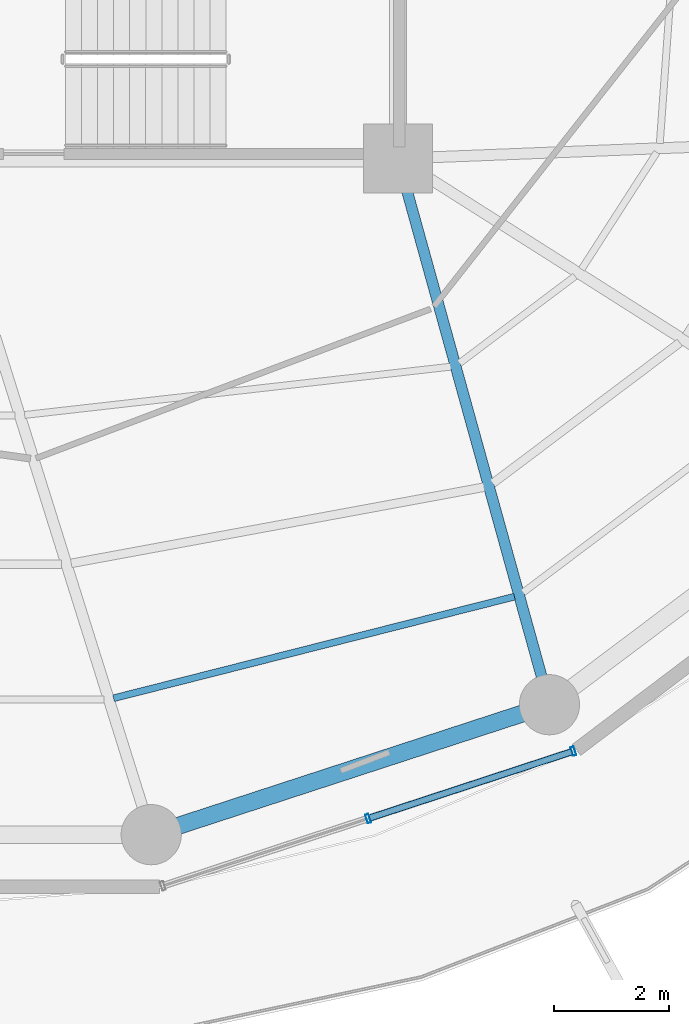
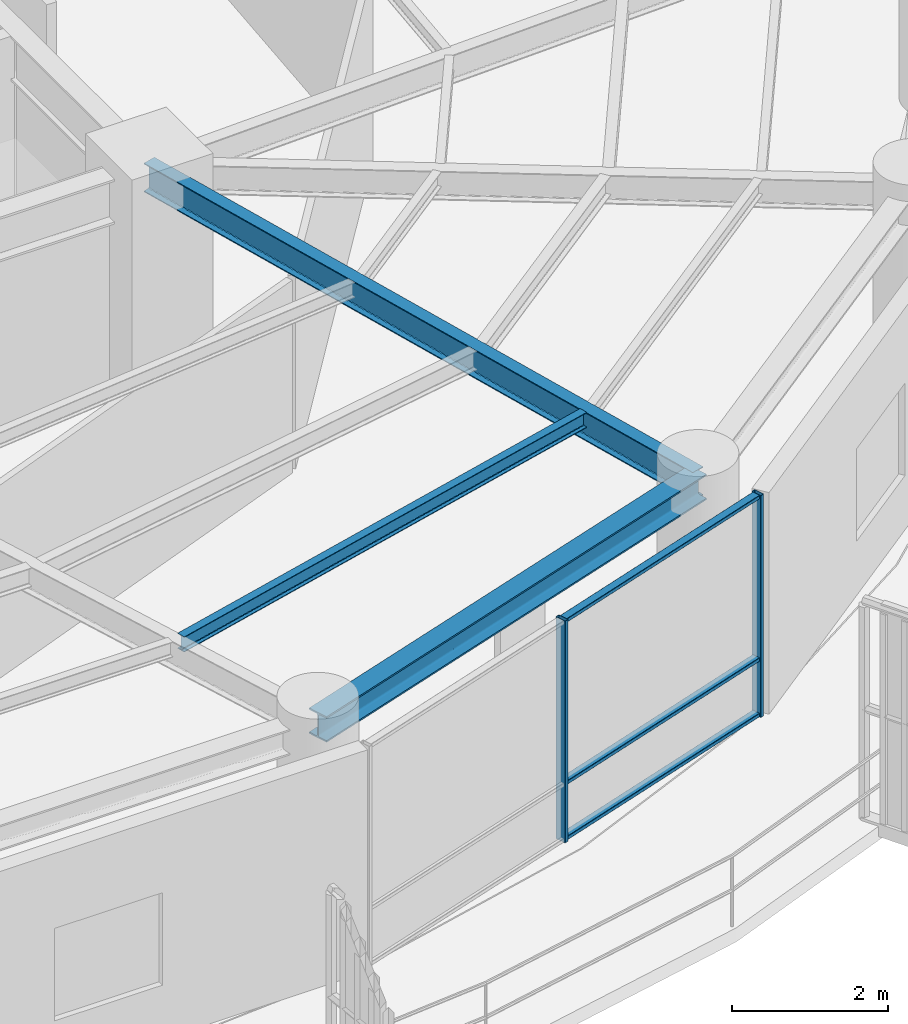
# One storey, part 10 of 30: 5 members, 3 beams, 1 element without a shape of its own.
"""IFC4 building model written with IfcOpenShell, lengths in metres."""

from ifc_helpers import new_model, si_unit, direction, frame, origin, origin_2d, place, context, subcontext, project, spatial, hollow_rectangle, i_section, extrude, material, layer, layer_set, material_profile, profile_set, type_object, element, aggregate, save


model = new_model("IFC4")

# Units and contexts
model_context = context("Model", 3, precision=1e-05, world=origin(), true_north=direction((0.0, 1.0)))
body_context = subcontext(model_context, "Body", "Model", "MODEL_VIEW")
ifc_project = project(units=[si_unit("LENGTHUNIT", "METRE"), si_unit("AREAUNIT", "SQUARE_METRE"), si_unit("VOLUMEUNIT", "CUBIC_METRE"), si_unit("PLANEANGLEUNIT", "RADIAN"), si_unit("MASSUNIT", "GRAM", prefix="KILO")], contexts=[model_context])

# Site, building, storey
site_placement = place(None, origin())
site = spatial("IfcSite", under=ifc_project, at=site_placement, CompositionType="ELEMENT")
building_placement = place(site_placement, origin())
building = spatial("IfcBuilding", under=site, at=building_placement, Name="Kelanora Arch Commons", CompositionType="ELEMENT")
storey_placement = place(building_placement, frame((0.0, 0.0, 204.449951171875)))
storey = spatial("IfcBuildingStorey", under=building, at=storey_placement, Name="L52", CompositionType="ELEMENT", Elevation=204.449951171875)

# Beams
ifc_material_1 = material(Name="Steel S355", Category="steel")
ifc_material_profile_1 = material_profile(ifc_material_1, i_section(OverallWidth=0.1201171875, OverallDepth=0.239990234375, WebThickness=0.006103515625, FlangeThickness=0.009765625, FilletRadius=0.014892578125, at=origin_2d()), Name="IPE240")
ifc_profile_set_1 = profile_set([ifc_material_profile_1], Name="Steel S355")
beam_type_1 = type_object("IfcBeamType", Name="BM-JST-02", PredefinedType="JOIST", material=ifc_profile_set_1)
beam_1_placement = place(storey_placement, frame((77.03857421875, 41.5888671875, 3.3701171875), z_axis=(0.969370989998, 0.245601066263, 0.0), x_axis=(-0.245601066263, 0.969370989998, 0.0)))
element("IfcBeam", 1, at=beam_1_placement, inside=storey, type_object=beam_type_1, Name="Secondary Chord Joist BJC-28 L52", PredefinedType="JOIST", context=body_context, shape_type="SweptSolid", body=[
    extrude(i_section(OverallWidth=0.1201171875, OverallDepth=0.239990234375, WebThickness=0.006103515625, FlangeThickness=0.009765625, FilletRadius=0.014892578125, at=origin_2d()), origin(), (0.0, 0.0, 1.0), 7.2119140625),
])
ifc_material_profile_2 = material_profile(ifc_material_1, i_section(OverallWidth=0.18994140625, OverallDepth=0.449951171875, WebThickness=0.009521484375, FlangeThickness=0.0146484375, FilletRadius=0.02099609375, at=origin_2d()), Name="IPE450")
ifc_profile_set_2 = profile_set([ifc_material_profile_2], Name="Steel S355")
beam_type_2 = type_object("IfcBeamType", Name="BM-RAD-Z4", PredefinedType="BEAM", material=ifc_profile_set_2)
beam_2_placement = place(storey_placement, frame((82.0, 51.0, 3.26513671875), z_axis=(0.267120164296, -0.963663228429, 0.0), x_axis=(0.963663228429, 0.267120164296, 0.0)))
element("IfcBeam", 2, at=beam_2_placement, inside=storey, type_object=beam_type_2, Name="Radial Floor Girder BR-30 L52", PredefinedType="BEAM", context=body_context, shape_type="SweptSolid", body=[
    extrude(i_section(OverallWidth=0.18994140625, OverallDepth=0.449951171875, WebThickness=0.009521484375, FlangeThickness=0.0146484375, FilletRadius=0.02099609375, at=origin_2d()), origin(), (0.0, 0.0, 1.0), 9.8828125),
])
ifc_material_profile_3 = material_profile(ifc_material_1, i_section(OverallWidth=0.300048828125, OverallDepth=0.39990234375, WebThickness=0.013427734375, FlangeThickness=0.02392578125, FilletRadius=0.027099609375, at=origin_2d()), Name="HEB400")
ifc_profile_set_3 = profile_set([ifc_material_profile_3], Name="Steel S355")
beam_type_3 = type_object("IfcBeamType", Name="BM-SPN-Z4", PredefinedType="SPANDREL", material=ifc_profile_set_3)
beam_3_placement = place(storey_placement, frame((77.6953125, 39.2099609375, 3.2900390625), z_axis=(0.950656361143, 0.310245842872, 0.0), x_axis=(-0.310245842872, 0.950656361143, 0.0)))
element("IfcBeam", 3, at=beam_3_placement, inside=storey, type_object=beam_type_3, Name="Perimeter Spandrel Beam BS-28 L52", PredefinedType="SPANDREL", context=body_context, shape_type="SweptSolid", body=[
    extrude(i_section(OverallWidth=0.300048828125, OverallDepth=0.39990234375, WebThickness=0.013427734375, FlangeThickness=0.02392578125, FilletRadius=0.027099609375, at=origin_2d()), origin(), (0.0, 0.0, 1.0), 7.304931640625),
])

# Curtain wall, members
ifc_material_2 = material(Name="Terracotta ceramic-fritted low-E glass and aluminium", Category="masonry")
ifc_layer = layer(ifc_material_2, 0.175048828125)
ifc_layer_set = layer_set([ifc_layer], Name="Terracotta ceramic-fritted low-E glass and aluminium")
curtain_wall_type = type_object("IfcCurtainWallType", Name="CW-SYS-02", PredefinedType="NOTDEFINED", material=ifc_layer_set)
curtain_wall_placement = place(storey_placement, origin())
curtain_wall = element("IfcCurtainWall", 4, at=curtain_wall_placement, inside=storey, type_object=curtain_wall_type, Name="Unitised Curtain Wall L52-B14", PredefinedType="NOTDEFINED")
ifc_material_3 = material(Name="Powder-coated aluminium terracotta", Category="masonry")
ifc_material_profile_4 = material_profile(ifc_material_3, hollow_rectangle(XDim=0.159912109375, YDim=0.06005859375, WallThickness=0.0048828125, InnerFilletRadius=0.0048828125, OuterFilletRadius=0.010009765625, at=origin_2d()), Name="CWM160x60")
ifc_profile_set_4 = profile_set([ifc_material_profile_4], Name="Powder-coated aluminium terracotta")
member_type_1 = type_object("IfcMemberType", Name="CWM-STD", PredefinedType="MULLION", material=ifc_profile_set_4)
member_1_placement = place(storey_placement, frame((81.4775390625, 39.49169921875, 0.0), z_axis=(0.0, 0.0, 1.0), x_axis=(-0.311582439059, 0.950219124029, 0.0)))
member_1 = element("IfcMember", 5, at=member_1_placement, type_object=member_type_1, Name="CW-02 mullion 2", PredefinedType="MULLION", context=body_context, shape_type="SweptSolid", body=[
    extrude(hollow_rectangle(XDim=0.159912109375, YDim=0.06005859375, WallThickness=0.0048828125, InnerFilletRadius=0.0048828125, OuterFilletRadius=0.010009765625, at=origin_2d()), origin(), (0.0, 0.0, 1.0), 3.47509765625),
])
member_2_placement = place(storey_placement, frame((85.05712890625, 40.66552734375, 0.0), z_axis=(0.0, 0.0, 1.0), x_axis=(-0.311582439059, 0.950219124029, 0.0)))
member_2 = element("IfcMember", 6, at=member_2_placement, type_object=member_type_1, Name="CW-02 mullion 3", PredefinedType="MULLION", context=body_context, shape_type="SweptSolid", body=[
    extrude(hollow_rectangle(XDim=0.159912109375, YDim=0.06005859375, WallThickness=0.0048828125, InnerFilletRadius=0.0048828125, OuterFilletRadius=0.010009765625, at=origin_2d()), origin(), (0.0, 0.0, 1.0), 3.47509765625),
])
ifc_material_profile_5 = material_profile(ifc_material_3, hollow_rectangle(XDim=0.1201171875, YDim=0.06005859375, WallThickness=0.0048828125, InnerFilletRadius=0.0048828125, OuterFilletRadius=0.010009765625, at=origin_2d()), Name="CWT120x60")
ifc_profile_set_5 = profile_set([ifc_material_profile_5], Name="Powder-coated aluminium terracotta")
member_type_2 = type_object("IfcMemberType", Name="CWT-STD", PredefinedType="USERDEFINED", material=ifc_profile_set_5)
member_3_placement = place(storey_placement, frame((81.506103515625, 39.5009765625, 0.030029296875), z_axis=(0.950226025222, 0.311561392011, 0.0), x_axis=(-0.311561392011, 0.950226025222, 0.0)))
member_3 = element("IfcMember", 7, at=member_3_placement, type_object=member_type_2, Name="CW-02 transom 2.1", ObjectType="TRANSOM", PredefinedType="USERDEFINED", context=body_context, shape_type="SweptSolid", body=[
    extrude(hollow_rectangle(XDim=0.1201171875, YDim=0.06005859375, WallThickness=0.0048828125, InnerFilletRadius=0.0048828125, OuterFilletRadius=0.010009765625, at=origin_2d()), origin(), (0.0, 0.0, 1.0), 3.707275390625),
])
member_4_placement = place(storey_placement, frame((81.506103515625, 39.5009765625, 0.900146484375), z_axis=(0.950226025222, 0.311561392011, 0.0), x_axis=(-0.311561392011, 0.950226025222, 0.0)))
member_4 = element("IfcMember", 8, at=member_4_placement, type_object=member_type_2, Name="CW-02 transom 2.2", ObjectType="TRANSOM", PredefinedType="USERDEFINED", context=body_context, shape_type="SweptSolid", body=[
    extrude(hollow_rectangle(XDim=0.1201171875, YDim=0.06005859375, WallThickness=0.0048828125, InnerFilletRadius=0.0048828125, OuterFilletRadius=0.010009765625, at=origin_2d()), origin(), (0.0, 0.0, 1.0), 3.707275390625),
])
member_5_placement = place(storey_placement, frame((81.506103515625, 39.5009765625, 3.445068359375), z_axis=(0.950226025222, 0.311561392011, 0.0), x_axis=(-0.311561392011, 0.950226025222, 0.0)))
member_5 = element("IfcMember", 9, at=member_5_placement, type_object=member_type_2, Name="CW-02 transom 2.3", ObjectType="TRANSOM", PredefinedType="USERDEFINED", context=body_context, shape_type="SweptSolid", body=[
    extrude(hollow_rectangle(XDim=0.1201171875, YDim=0.06005859375, WallThickness=0.0048828125, InnerFilletRadius=0.0048828125, OuterFilletRadius=0.010009765625, at=origin_2d()), origin(), (0.0, 0.0, 1.0), 3.707275390625),
])
aggregate(curtain_wall, [member_1, member_2, member_3, member_4, member_5])

save(model, "model.ifc")
